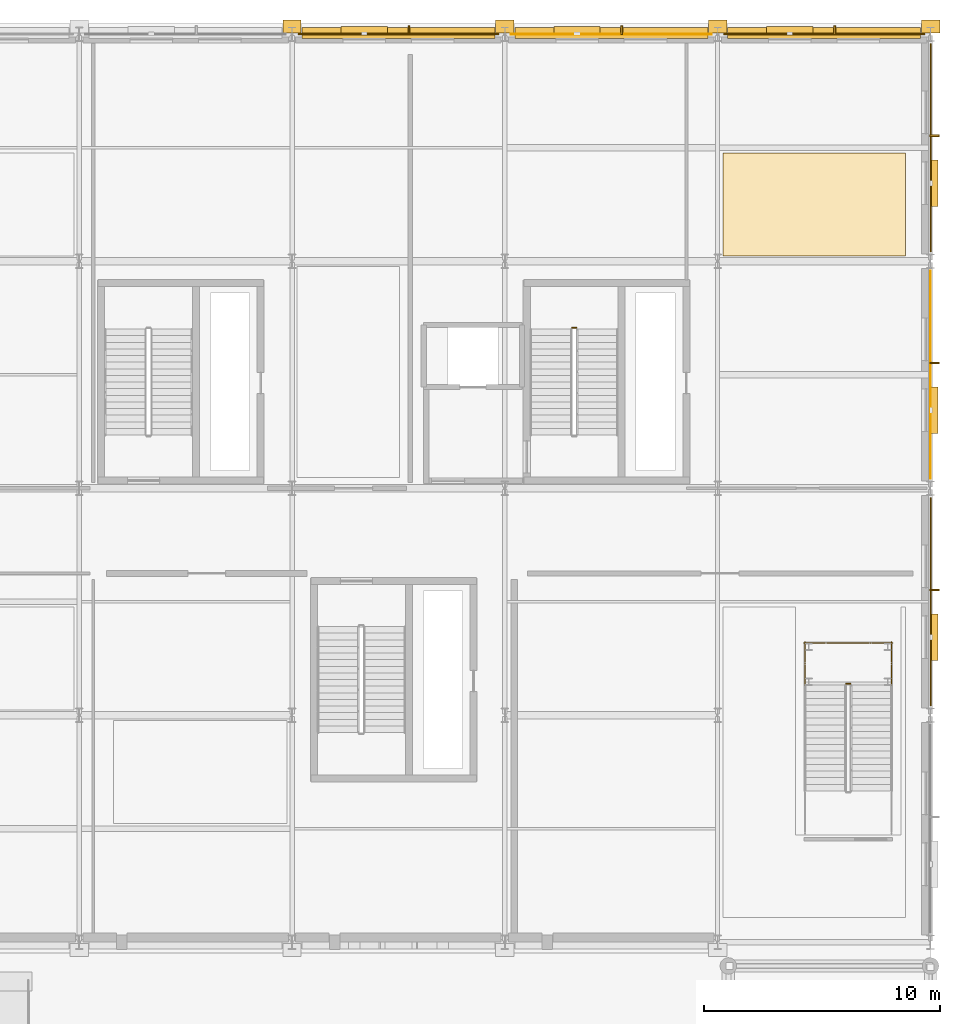
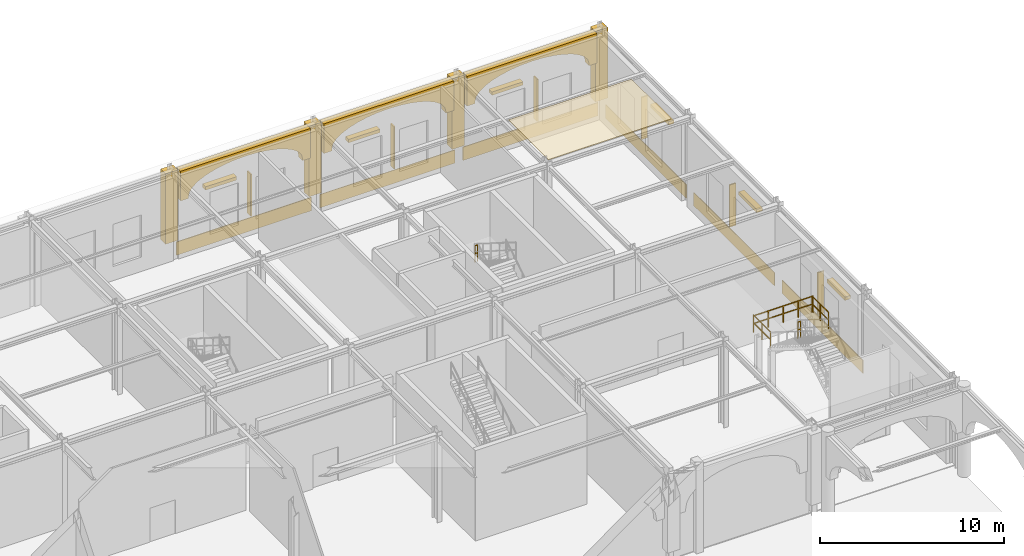
# One storey, part 112 of 113: 14 coverings, 12 shading devices, 5 railings.
"""IFC4 building model written with IfcOpenShell, lengths in metres."""

from ifc_helpers import new_model, si_unit, direction, frame, origin, origin_2d, place, context, subcontext, project, spatial, polyline, rectangle, outline, extrude, material, layer, layer_set, type_object, element, save


model = new_model("IFC4")

# Units and contexts
model_context = context("Model", 3, precision=1e-05, world=origin(), true_north=direction((0.0, 1.0)))
body_context = subcontext(model_context, "Body", "Model", "MODEL_VIEW")
ifc_project = project(units=[si_unit("LENGTHUNIT", "METRE"), si_unit("AREAUNIT", "SQUARE_METRE"), si_unit("VOLUMEUNIT", "CUBIC_METRE"), si_unit("PLANEANGLEUNIT", "RADIAN"), si_unit("MASSUNIT", "GRAM", prefix="KILO")], contexts=[model_context])

# Site, building, storey
site_placement = place(None, origin())
site = spatial("IfcSite", under=ifc_project, at=site_placement, CompositionType="ELEMENT")
building_placement = place(site_placement, origin())
building = spatial("IfcBuilding", under=site, at=building_placement, Name="Myrtia Square Station", CompositionType="ELEMENT")
storey_placement = place(building_placement, origin())
storey = spatial("IfcBuildingStorey", under=building, at=storey_placement, Name="L00", CompositionType="ELEMENT", Elevation=0.0)

# Coverings
ifc_material_1 = material(Name="Pentelic marble ashlar", Category="masonry")
ifc_layer_1 = layer(ifc_material_1, 0.4599609375, Name="Pentelic marble ashlar")
ifc_layer_set_1 = layer_set([ifc_layer_1], Name="Pentelic marble ashlar")
covering_type_1 = type_object("IfcCoveringType", Name="COV-ARCH-ASHLAR", PredefinedType="CLADDING", material=ifc_layer_set_1)
for number, where, z_axis, x_axis, name in (
    (1, (162.419921875, 124.85009765625, 3.64990234375), (0.0, 0.0, 1.0), (1.0, 0.0, 0.0), "North boulevard facade arch spandrel 038"),
    (2, (171.419921875, 124.85009765625, 3.64990234375), (0.0, 0.0, 1.0), (1.0, 0.0, 0.0), "North boulevard facade arch spandrel 040"),
    (3, (180.419921875, 124.85009765625, 3.64990234375), (0.0, 0.0, 1.0), (1.0, 0.0, 0.0), "North boulevard facade arch spandrel 041"),
):
    element("IfcCovering", number, at=place(storey_placement, frame(where, z_axis=z_axis, x_axis=x_axis)), inside=storey, type_object=covering_type_1, Name=name, PredefinedType="CLADDING", context=body_context, shape_type="SweptSolid", body=[
        extrude(outline(polyline([(0.0, 0.0), (0.5, 0.0), (0.5, 0.150146484375), (0.56884765625, 0.42333984375), (0.7724609375, 0.685791015625), (1.103271484375, 0.927978515625), (1.548583984375, 1.14013671875), (2.091064453125, 1.314208984375), (2.7099609375, 1.443603515625), (3.381591796875, 1.523193359375), (4.080078125, 1.550048828125), (4.778564453125, 1.523193359375), (5.4501953125, 1.443603515625), (6.069091796875, 1.314208984375), (6.611572265625, 1.14013671875), (7.056884765625, 0.927978515625), (7.3876953125, 0.685791015625), (7.59130859375, 0.42333984375), (7.66015625, 0.150146484375), (7.66015625, 0.0), (8.16015625, 0.0), (8.16015625, 1.97021484375), (0.0, 1.97021484375), (0.0, 0.0)])), frame((0.0, 0.22998046875, 0.0), z_axis=(0.0, -1.0, 0.0), x_axis=(1.0, 0.0, 0.0)), (0.0, 0.0, 1.0), 0.4599609375),
    ])
for number, where, z_axis, x_axis, name in (
    (4, (162.0, 125.1201171875, 0.919921875), (0.0, 0.0, 1.0), (1.0, 0.0, 0.0), "Classical Pentelic ashlar pilaster 098"),
    (5, (171.0, 125.1201171875, 0.919921875), (0.0, 0.0, 1.0), (1.0, 0.0, 0.0), "Classical Pentelic ashlar pilaster 108"),
    (6, (180.0, 125.1201171875, 0.919921875), (0.0, 0.0, 1.0), (1.0, 0.0, 0.0), "Classical Pentelic ashlar pilaster 118"),
    (7, (189.0, 125.1201171875, 0.919921875), (0.0, 0.0, 1.0), (1.0, 0.0, 0.0), "Classical Pentelic ashlar pilaster 127"),
):
    element("IfcCovering", number, at=place(storey_placement, frame(where, z_axis=z_axis, x_axis=x_axis)), inside=storey, type_object=covering_type_1, Name=name, PredefinedType="CLADDING", context=body_context, shape_type="SweptSolid", body=[
        extrude(rectangle(XDim=0.780029296875, YDim=0.56005859375, at=origin_2d()), origin(), (0.0, 0.0, 1.0), 4.679931640625),
    ])
ifc_material_2 = material(Name="Gypsum plasterboard")
ifc_layer_2 = layer(ifc_material_2, 0.034912109375, Name="Gypsum plasterboard")
ifc_layer_set_2 = layer_set([ifc_layer_2], Name="Gypsum plasterboard")
covering_type_2 = type_object("IfcCoveringType", Name="COV-CEIL-ACOUSTIC", PredefinedType="CEILING", material=ifc_layer_set_2)
covering_1_placement = place(storey_placement, frame((0.0, 0.0, 5.715087890625)))
element("IfcCovering", 8, at=covering_1_placement, inside=storey, type_object=covering_type_2, Name="Acoustic coffer ceiling L00-22", PredefinedType="CEILING", context=body_context, shape_type="SweptSolid", body=[
    extrude(outline(polyline([(187.949951171875, 115.419921875), (180.219970703125, 115.419921875), (180.219970703125, 119.780029296875), (187.949951171875, 119.780029296875), (187.949951171875, 115.419921875)])), origin(), (0.0, 0.0, 1.0), 0.034912109375),
])
ifc_layer_3 = layer(ifc_material_1, 0.050048828125, Name="Pentelic marble ashlar")
ifc_layer_set_3 = layer_set([ifc_layer_3], Name="Pentelic marble ashlar")
covering_type_3 = type_object("IfcCoveringType", Name="COV-CLAD-ASHLAR", PredefinedType="CLADDING", material=ifc_layer_set_3)
for number, where, z_axis, x_axis, name in (
    (9, (166.5, 124.804931640625, 0.0), (0.0, 0.0, 1.0), (1.0, 0.0, 0.0), "Spanish Colonial Revival dado cladding 023"),
    (10, (184.5, 124.804931640625, 0.0), (0.0, 0.0, 1.0), (1.0, 0.0, 0.0), "Spanish Colonial Revival dado cladding 025"),
):
    element("IfcCovering", number, at=place(storey_placement, frame(where, z_axis=z_axis, x_axis=x_axis)), inside=storey, type_object=covering_type_3, Name=name, PredefinedType="CLADDING", context=body_context, shape_type="SweptSolid", body=[
        extrude(rectangle(XDim=8.489990234375, YDim=0.050048828125, at=origin_2d()), origin(), (0.0, 0.0, 1.0), 0.8798828125),
    ])
for number, where, z_axis, x_axis, name in (
    (11, (189.0048828125, 100.800048828125, 0.0), (0.0, 0.0, 1.0), (0.0, 1.0, 0.0), "Spanish Colonial Revival dado cladding 027"),
    (12, (189.0048828125, 120.0, 0.0), (0.0, 0.0, 1.0), (0.0, 1.0, 0.0), "Spanish Colonial Revival dado cladding 029"),
):
    element("IfcCovering", number, at=place(storey_placement, frame(where, z_axis=z_axis, x_axis=x_axis)), inside=storey, type_object=covering_type_3, Name=name, PredefinedType="CLADDING", context=body_context, shape_type="SweptSolid", body=[
        extrude(rectangle(XDim=8.7900390625, YDim=0.050048828125, at=origin_2d()), origin(), (0.0, 0.0, 1.0), 0.8798828125),
    ])
ifc_material_3 = material(Name="Polychrome glazed ceramic tile", Category="masonry")
ifc_layer_4 = layer(ifc_material_3, 0.034912109375, Name="Polychrome glazed ceramic tile")
ifc_layer_set_4 = layer_set([ifc_layer_4], Name="Polychrome glazed ceramic tile")
covering_type_4 = type_object("IfcCoveringType", Name="COV-CLAD-FAIENCE", PredefinedType="CLADDING", material=ifc_layer_set_4)
covering_2_placement = place(storey_placement, frame((175.5, 124.797607421875, 0.0), z_axis=(0.0, 0.0, 1.0), x_axis=(1.0, 0.0, 0.0)))
element("IfcCovering", 13, at=covering_2_placement, inside=storey, type_object=covering_type_4, Name="Spanish Colonial Revival dado cladding 024", PredefinedType="CLADDING", context=body_context, shape_type="SweptSolid", body=[
    extrude(rectangle(XDim=8.489990234375, YDim=0.034912109375, at=origin_2d()), origin(), (0.0, 0.0, 1.0), 0.8798828125),
])
covering_3_placement = place(storey_placement, frame((188.99755859375, 110.39990234375, 0.0), z_axis=(0.0, 0.0, 1.0), x_axis=(0.0, 1.0, 0.0)))
element("IfcCovering", 14, at=covering_3_placement, inside=storey, type_object=covering_type_4, Name="Spanish Colonial Revival dado cladding 028", PredefinedType="CLADDING", context=body_context, shape_type="SweptSolid", body=[
    extrude(rectangle(XDim=8.7900390625, YDim=0.034912109375, at=origin_2d()), origin(), (0.0, 0.0, 1.0), 0.8798828125),
])

# Railings
ifc_material_4 = material(Name="Wrought iron", Category="steel")
railing_type = type_object("IfcRailingType", Name="RL-INT-GUARD-1100", PredefinedType="BALUSTRADE", material=ifc_material_4)
railing_1_placement = place(storey_placement, frame((174.010009765625, 112.3798828125, 3.0)))
element("IfcRailing", 15, at=railing_1_placement, inside=storey, type_object=railing_type, Name="L00 ST08 stair guard 2", PredefinedType="BALUSTRADE", context=body_context, shape_type="SweptSolid", body=[
    extrude(rectangle(XDim=0.048095703125, YDim=0.048095703125, at=origin_2d()), frame((-0.03466796875, 0.0, 1.09619140625), z_axis=(-1.0, 0.0, 0.0), x_axis=(0.0, -1.0, 0.0)), (0.0, 0.0, 1.0), 0.090576171875),
    extrude(rectangle(XDim=0.048095703125, YDim=0.048095703125, at=origin_2d()), frame((-0.03466796875, 0.0, 0.58251953125), z_axis=(-1.0, 0.0, 0.0), x_axis=(0.0, -1.0, 0.0)), (0.0, 0.0, 1.0), 0.090576171875),
    extrude(rectangle(XDim=0.0439453125, YDim=0.0439453125, at=origin_2d()), origin(), (0.0, 0.0, 1.0), 1.1201171875),
    extrude(rectangle(XDim=0.0439453125, YDim=0.0439453125, at=origin_2d()), frame((-0.159912109375, 0.0, 0.0)), (0.0, 0.0, 1.0), 1.1201171875),
])
railing_2_placement = place(storey_placement, frame((185.60009765625, 97.330078125, 3.0)))
element("IfcRailing", 16, at=railing_2_placement, inside=storey, type_object=railing_type, Name="L00 ST72 stair guard 2", PredefinedType="BALUSTRADE", context=body_context, shape_type="SweptSolid", body=[
    extrude(rectangle(XDim=0.048095703125, YDim=0.048095703125, at=origin_2d()), frame((-0.03466796875, 0.0, 1.09619140625), z_axis=(-1.0, 0.0, 0.0), x_axis=(0.0, -1.0, 0.0)), (0.0, 0.0, 1.0), 0.0908203125),
    extrude(rectangle(XDim=0.048095703125, YDim=0.048095703125, at=origin_2d()), frame((-0.03466796875, 0.0, 0.58251953125), z_axis=(-1.0, 0.0, 0.0), x_axis=(0.0, -1.0, 0.0)), (0.0, 0.0, 1.0), 0.0908203125),
    extrude(rectangle(XDim=0.0439453125, YDim=0.0439453125, at=origin_2d()), origin(), (0.0, 0.0, 1.0), 1.1201171875),
    extrude(rectangle(XDim=0.0439453125, YDim=0.0439453125, at=origin_2d()), frame((-0.16015625, 0.0, 0.0)), (0.0, 0.0, 1.0), 1.1201171875),
])
for number, where, name in (
    (17, (187.35009765625, 97.280029296875, 3.0), "L00 ST72 stair guard 3"),
    (18, (183.68994140625, 97.280029296875, 3.0), "L00 ST72 stair guard 4"),
):
    element("IfcRailing", number, at=place(storey_placement, frame(where)), inside=storey, type_object=railing_type, Name=name, PredefinedType="BALUSTRADE", context=body_context, shape_type="SweptSolid", body=[
        extrude(rectangle(XDim=0.048095703125, YDim=0.048095703125, at=origin_2d()), frame((0.0, 0.03466796875, 1.09619140625), z_axis=(0.0, 1.0, 0.0), x_axis=(-1.0, 0.0, 0.0)), (0.0, 0.0, 1.0), 0.8408203125),
        extrude(rectangle(XDim=0.048095703125, YDim=0.048095703125, at=origin_2d()), frame((0.0, 0.03466796875, 0.58251953125), z_axis=(0.0, 1.0, 0.0), x_axis=(-1.0, 0.0, 0.0)), (0.0, 0.0, 1.0), 0.8408203125),
        extrude(rectangle(XDim=0.048095703125, YDim=0.048095703125, at=origin_2d()), frame((0.0, 0.944580078125, 1.09619140625), z_axis=(0.0, 1.0, 0.0), x_axis=(-1.0, 0.0, 0.0)), (0.0, 0.0, 1.0), 0.8408203125),
        extrude(rectangle(XDim=0.048095703125, YDim=0.048095703125, at=origin_2d()), frame((0.0, 0.944580078125, 0.58251953125), z_axis=(0.0, 1.0, 0.0), x_axis=(-1.0, 0.0, 0.0)), (0.0, 0.0, 1.0), 0.8408203125),
        extrude(rectangle(XDim=0.0439453125, YDim=0.0439453125, at=origin_2d()), origin(), (0.0, 0.0, 1.0), 1.1201171875),
        extrude(rectangle(XDim=0.0439453125, YDim=0.0439453125, at=origin_2d()), frame((0.0, 0.91015625, 0.0)), (0.0, 0.0, 1.0), 1.1201171875),
        extrude(rectangle(XDim=0.0439453125, YDim=0.0439453125, at=origin_2d()), frame((0.0, 1.820068359375, 0.0)), (0.0, 0.0, 1.0), 1.1201171875),
    ])
railing_3_placement = place(storey_placement, frame((187.39990234375, 99.050048828125, 3.0)))
element("IfcRailing", 19, at=railing_3_placement, inside=storey, type_object=railing_type, Name="L00 ST72 stair guard 5", PredefinedType="BALUSTRADE", context=body_context, shape_type="SweptSolid", body=[
    extrude(rectangle(XDim=0.048095703125, YDim=0.048095703125, at=origin_2d()), frame((-0.03466796875, 0.0, 1.09619140625), z_axis=(-1.0, 0.0, 0.0), x_axis=(0.0, -1.0, 0.0)), (0.0, 0.0, 1.0), 0.87060546875),
    extrude(rectangle(XDim=0.048095703125, YDim=0.048095703125, at=origin_2d()), frame((-0.03466796875, 0.0, 0.58251953125), z_axis=(-1.0, 0.0, 0.0), x_axis=(0.0, -1.0, 0.0)), (0.0, 0.0, 1.0), 0.87060546875),
    extrude(rectangle(XDim=0.048095703125, YDim=0.048095703125, at=origin_2d()), frame((-0.974609375, 0.0, 1.09619140625), z_axis=(-1.0, 0.0, 0.0), x_axis=(0.0, -1.0, 0.0)), (0.0, 0.0, 1.0), 0.87060546875),
    extrude(rectangle(XDim=0.048095703125, YDim=0.048095703125, at=origin_2d()), frame((-0.974609375, 0.0, 0.58251953125), z_axis=(-1.0, 0.0, 0.0), x_axis=(0.0, -1.0, 0.0)), (0.0, 0.0, 1.0), 0.87060546875),
    extrude(rectangle(XDim=0.048095703125, YDim=0.048095703125, at=origin_2d()), frame((-1.91455078125, 0.0, 1.09619140625), z_axis=(-1.0, 0.0, 0.0), x_axis=(0.0, -1.0, 0.0)), (0.0, 0.0, 1.0), 0.87060546875),
    extrude(rectangle(XDim=0.048095703125, YDim=0.048095703125, at=origin_2d()), frame((-1.91455078125, 0.0, 0.58251953125), z_axis=(-1.0, 0.0, 0.0), x_axis=(0.0, -1.0, 0.0)), (0.0, 0.0, 1.0), 0.87060546875),
    extrude(rectangle(XDim=0.048095703125, YDim=0.048095703125, at=origin_2d()), frame((-2.854736328125, 0.0, 1.09619140625), z_axis=(-1.0, 0.0, 0.0), x_axis=(0.0, -1.0, 0.0)), (0.0, 0.0, 1.0), 0.87060546875),
    extrude(rectangle(XDim=0.048095703125, YDim=0.048095703125, at=origin_2d()), frame((-2.854736328125, 0.0, 0.58251953125), z_axis=(-1.0, 0.0, 0.0), x_axis=(0.0, -1.0, 0.0)), (0.0, 0.0, 1.0), 0.87060546875),
    extrude(rectangle(XDim=0.0439453125, YDim=0.0439453125, at=origin_2d()), origin(), (0.0, 0.0, 1.0), 1.1201171875),
    extrude(rectangle(XDim=0.0439453125, YDim=0.0439453125, at=origin_2d()), frame((-0.93994140625, 0.0, 0.0)), (0.0, 0.0, 1.0), 1.1201171875),
    extrude(rectangle(XDim=0.0439453125, YDim=0.0439453125, at=origin_2d()), frame((-1.8798828125, 0.0, 0.0)), (0.0, 0.0, 1.0), 1.1201171875),
    extrude(rectangle(XDim=0.0439453125, YDim=0.0439453125, at=origin_2d()), frame((-2.820068359375, 0.0, 0.0)), (0.0, 0.0, 1.0), 1.1201171875),
    extrude(rectangle(XDim=0.0439453125, YDim=0.0439453125, at=origin_2d()), frame((-3.760009765625, 0.0, 0.0)), (0.0, 0.0, 1.0), 1.1201171875),
])

# Shading devices
ifc_material_5 = material(Name="Dark bronze anodised aluminium", Category="aluminium")
shading_device_type_1 = type_object("IfcShadingDeviceType", Name="SHD-FIN-BRONZE", PredefinedType="USERDEFINED", material=ifc_material_5)
for number, where, z_axis, x_axis, name in (
    (20, (166.947998046875, 124.969970703125, 0.9501953125), (0.0, 0.0, 1.0), (1.0, 0.0, 0.0), "Vertical bronze solar fin SHF-036"),
    (21, (175.947998046875, 124.969970703125, 0.9501953125), (0.0, 0.0, 1.0), (1.0, 0.0, 0.0), "Vertical bronze solar fin SHF-037"),
    (22, (184.947998046875, 124.969970703125, 0.9501953125), (0.0, 0.0, 1.0), (1.0, 0.0, 0.0), "Vertical bronze solar fin SHF-038"),
    (23, (189.169921875, 101.298095703125, 0.9501953125), (0.0, 0.0, 1.0), (0.0, 1.0, 0.0), "Vertical bronze solar fin SHF-040"),
    (24, (189.169921875, 110.89794921875, 0.9501953125), (0.0, 0.0, 1.0), (0.0, 1.0, 0.0), "Vertical bronze solar fin SHF-041"),
    (25, (189.169921875, 120.498046875, 0.9501953125), (0.0, 0.0, 1.0), (0.0, 1.0, 0.0), "Vertical bronze solar fin SHF-042"),
):
    element("IfcShadingDevice", number, at=place(storey_placement, frame(where, z_axis=z_axis, x_axis=x_axis)), inside=storey, type_object=shading_device_type_1, Name=name, ObjectType="FIN", PredefinedType="USERDEFINED", context=body_context, shape_type="SweptSolid", body=[
        extrude(rectangle(XDim=0.080078125, YDim=0.389892578125, at=origin_2d()), origin(), (0.0, 0.0, 1.0), 2.800048828125),
    ])
shading_device_type_2 = type_object("IfcShadingDeviceType", Name="SHD-JALOUSIE-BRONZE", PredefinedType="JALOUSIE", material=ifc_material_5)
for number, where, z_axis, x_axis, name in (
    (26, (165.052001953125, 124.949951171875, 3.68994140625), (0.0, 0.0, 1.0), (1.0, 0.0, 0.0), "Mediterranean bronze solar louvre SHL-036"),
    (27, (174.052001953125, 124.949951171875, 3.68994140625), (0.0, 0.0, 1.0), (1.0, 0.0, 0.0), "Mediterranean bronze solar louvre SHL-037"),
    (28, (183.052001953125, 124.949951171875, 3.68994140625), (0.0, 0.0, 1.0), (1.0, 0.0, 0.0), "Mediterranean bronze solar louvre SHL-038"),
    (29, (189.14990234375, 99.302001953125, 3.68994140625), (0.0, 0.0, 1.0), (0.0, 1.0, 0.0), "Mediterranean bronze solar louvre SHL-040"),
    (30, (189.14990234375, 108.902099609375, 3.68994140625), (0.0, 0.0, 1.0), (0.0, 1.0, 0.0), "Mediterranean bronze solar louvre SHL-041"),
    (31, (189.14990234375, 118.501953125, 3.68994140625), (0.0, 0.0, 1.0), (0.0, 1.0, 0.0), "Mediterranean bronze solar louvre SHL-042"),
):
    element("IfcShadingDevice", number, at=place(storey_placement, frame(where, z_axis=z_axis, x_axis=x_axis)), inside=storey, type_object=shading_device_type_2, Name=name, PredefinedType="JALOUSIE", context=body_context, shape_type="SweptSolid", body=[
        extrude(rectangle(XDim=1.9599609375, YDim=0.35009765625, at=origin_2d()), origin(), (0.0, 0.0, 1.0), 0.219970703125),
    ])

save(model, "model.ifc")
